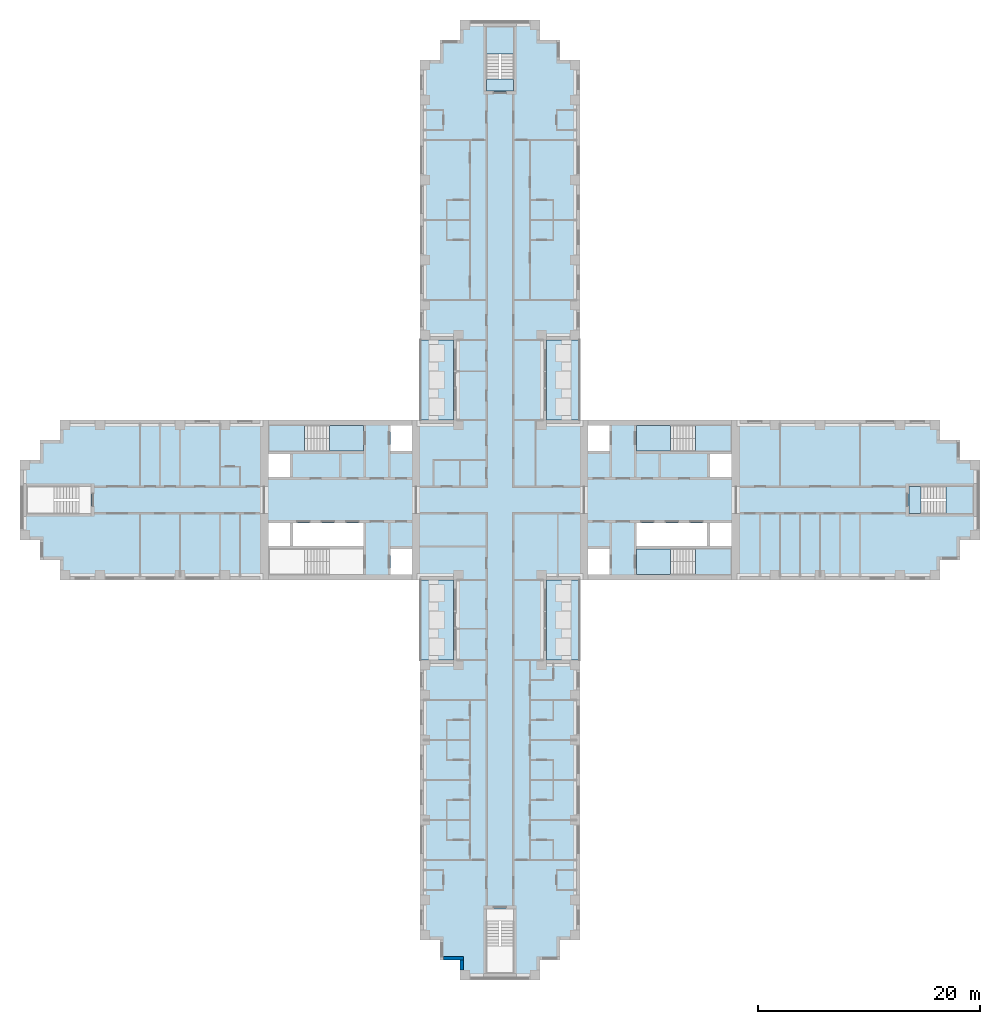
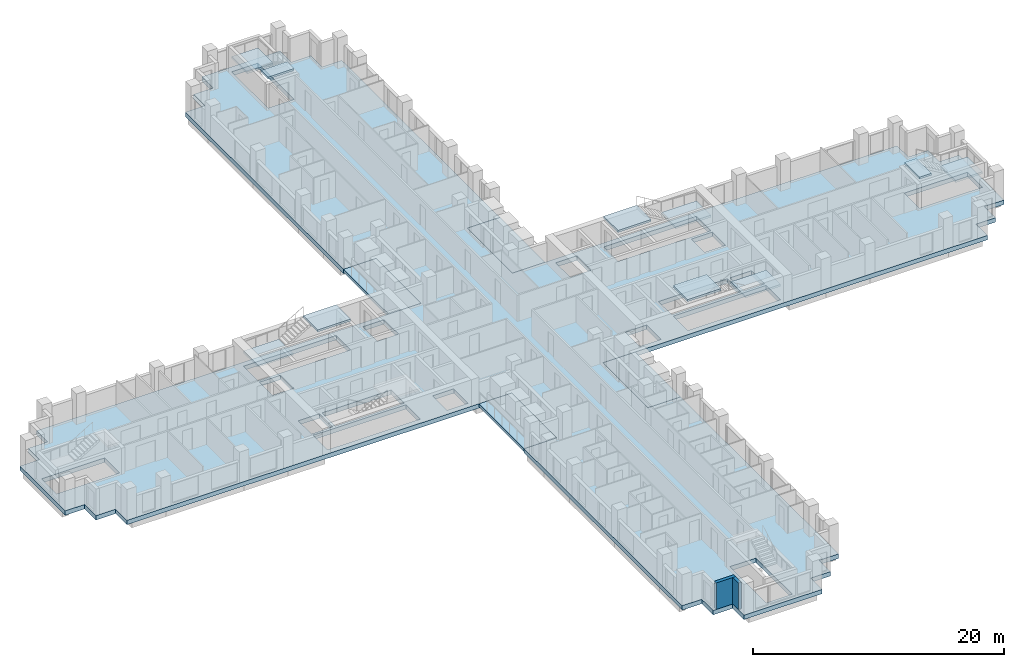
# One storey, part 2 of 16: 15 slabs, 2 walls, 5 elements without a shape of their own.
"""IFC4 building model written with IfcOpenShell, lengths in metres."""

from ifc_helpers import new_model, si_unit, direction, frame, frame_2d, origin, place, context, subcontext, project, spatial, polyline, rectangle, outline, extrude, material, layer, layer_set, type_object, element, aggregate, save


model = new_model("IFC4")

# Units and contexts
model_context = context("Model", 3, precision=1e-05, world=origin(), true_north=direction((0.0, 1.0)))
body_context = subcontext(model_context, "Body", "Model", "MODEL_VIEW")
ifc_project = project(units=[si_unit("LENGTHUNIT", "METRE"), si_unit("AREAUNIT", "SQUARE_METRE"), si_unit("VOLUMEUNIT", "CUBIC_METRE"), si_unit("PLANEANGLEUNIT", "RADIAN"), si_unit("MASSUNIT", "GRAM", prefix="KILO")], contexts=[model_context])

# Site, building, storey
site_placement = place(None, origin())
site = spatial("IfcSite", under=ifc_project, at=site_placement, CompositionType="ELEMENT")
building_placement = place(site_placement, origin())
building = spatial("IfcBuilding", under=site, at=building_placement, Name="Fustian Cross Tower", CompositionType="ELEMENT")
storey_placement = place(building_placement, frame((0.0, 0.0, 26.699951171875)))
storey = spatial("IfcBuildingStorey", under=building, at=storey_placement, Name="L07", CompositionType="ELEMENT", Elevation=26.699951171875)

# Slabs
ifc_material_1 = material(Name="Concrete C40/50", Category="concrete")
ifc_layer_1 = layer(ifc_material_1, 0.300048828125)
ifc_layer_set_1 = layer_set([ifc_layer_1], Name="Concrete C40/50")
slab_type_1 = type_object("IfcSlabType", Name="BS1 BALCONY SLAB 300", PredefinedType="FLOOR", material=ifc_layer_set_1)
slab_1_placement = place(storey_placement, frame((0.0, 0.0, -0.300048828125)))
element("IfcSlab", 1, at=slab_1_placement, inside=storey, type_object=slab_type_1, Name="Balcony slab", PredefinedType="FLOOR", context=body_context, shape_type="SweptSolid", body=[
    extrude(outline(polyline([(4.199951171875, 7.199951171875), (7.199951171875, 7.199951171875), (7.199951171875, 14.39990234375), (4.199951171875, 14.39990234375), (4.199951171875, 7.199951171875)])), origin(), (0.0, 0.0, 1.0), 0.300048828125),
])
slab_2_placement = place(storey_placement, frame((0.0, 0.0, -0.300048828125)))
element("IfcSlab", 2, at=slab_2_placement, inside=storey, type_object=slab_type_1, Name="Balcony slab", PredefinedType="FLOOR", context=body_context, shape_type="SweptSolid", body=[
    extrude(outline(polyline([(-7.199951171875, 7.199951171875), (-4.199951171875, 7.199951171875), (-4.199951171875, 14.39990234375), (-7.199951171875, 14.39990234375), (-7.199951171875, 7.199951171875)])), origin(), (0.0, 0.0, 1.0), 0.300048828125),
])
slab_3_placement = place(storey_placement, frame((0.0, 0.0, -0.300048828125)))
element("IfcSlab", 3, at=slab_3_placement, inside=storey, type_object=slab_type_1, Name="Balcony slab", PredefinedType="FLOOR", context=body_context, shape_type="SweptSolid", body=[
    extrude(outline(polyline([(4.199951171875, -14.39990234375), (7.199951171875, -14.39990234375), (7.199951171875, -7.199951171875), (4.199951171875, -7.199951171875), (4.199951171875, -14.39990234375)])), origin(), (0.0, 0.0, 1.0), 0.300048828125),
])
slab_4_placement = place(storey_placement, frame((0.0, 0.0, -0.300048828125)))
element("IfcSlab", 4, at=slab_4_placement, inside=storey, type_object=slab_type_1, Name="Balcony slab", PredefinedType="FLOOR", context=body_context, shape_type="SweptSolid", body=[
    extrude(outline(polyline([(-7.199951171875, -14.39990234375), (-4.199951171875, -14.39990234375), (-4.199951171875, -7.199951171875), (-7.199951171875, -7.199951171875), (-7.199951171875, -14.39990234375)])), origin(), (0.0, 0.0, 1.0), 0.300048828125),
])
ifc_material_2 = material(Name="Concrete C40/50", Category="concrete")
ifc_layer_2 = layer(ifc_material_2, 0.425048828125)
ifc_layer_set_2 = layer_set([ifc_layer_2], Name="Concrete C40/50")
slab_type_2 = type_object("IfcSlabType", Name="FLAT SLAB 425", PredefinedType="FLOOR", material=ifc_layer_set_2)
slab_5_placement = place(storey_placement, frame((0.0, 0.0, -0.425048828125)))
element("IfcSlab", 5, at=slab_5_placement, inside=storey, type_object=slab_type_2, Name="FLOOR SLAB L07-1", PredefinedType="FLOOR", context=body_context, shape_type="SweptSolid", body=[
    extrude(outline(polyline([(-4.199951171875, -7.199951171875), (-39.60009765625, -7.199951171875), (-39.60009765625, -5.39990234375), (-41.39990234375, -5.39990234375), (-41.39990234375, -3.60009765625), (-43.199951171875, -3.60009765625), (-43.199951171875, 3.60009765625), (-41.39990234375, 3.60009765625), (-41.39990234375, 5.39990234375), (-39.60009765625, 5.39990234375), (-39.60009765625, 7.199951171875), (-4.199951171875, 7.199951171875), (-4.199951171875, 14.39990234375), (-7.199951171875, 14.39990234375), (-7.199951171875, 39.60009765625), (-5.39990234375, 39.60009765625), (-5.39990234375, 41.39990234375), (-3.60009765625, 41.39990234375), (-3.60009765625, 43.199951171875), (3.60009765625, 43.199951171875), (3.60009765625, 41.39990234375), (5.39990234375, 41.39990234375), (5.39990234375, 39.60009765625), (7.199951171875, 39.60009765625), (7.199951171875, 14.39990234375), (4.199951171875, 14.39990234375), (4.199951171875, 7.199951171875), (39.60009765625, 7.199951171875), (39.60009765625, 5.39990234375), (41.39990234375, 5.39990234375), (41.39990234375, 3.60009765625), (43.199951171875, 3.60009765625), (43.199951171875, -3.60009765625), (41.39990234375, -3.60009765625), (41.39990234375, -5.39990234375), (39.60009765625, -5.39990234375), (39.60009765625, -7.199951171875), (4.199951171875, -7.199951171875), (4.199951171875, -14.39990234375), (7.199951171875, -14.39990234375), (7.199951171875, -39.60009765625), (5.39990234375, -39.60009765625), (5.39990234375, -41.39990234375), (3.60009765625, -41.39990234375), (3.60009765625, -43.199951171875), (-3.60009765625, -43.199951171875), (-3.60009765625, -41.39990234375), (-5.39990234375, -41.39990234375), (-5.39990234375, -39.60009765625), (-7.199951171875, -39.60009765625), (-7.199951171875, -14.39990234375), (-4.199951171875, -14.39990234375), (-4.199951171875, -7.199951171875)]), holes=[polyline([(18.89990234375, -2.050048828125), (18.89990234375, -4.14990234375), (20.85009765625, -4.14990234375), (20.85009765625, -2.050048828125), (18.89990234375, -2.050048828125)]), polyline([(20.85009765625, 4.14990234375), (18.89990234375, 4.14990234375), (18.89990234375, 2.050048828125), (20.85009765625, 2.050048828125), (20.85009765625, 4.14990234375)]), polyline([(9.85009765625, 4.39990234375), (9.85009765625, 6.699951171875), (7.89990234375, 6.699951171875), (7.89990234375, 4.39990234375), (9.85009765625, 4.39990234375)]), polyline([(7.89990234375, -6.699951171875), (9.85009765625, -6.699951171875), (9.85009765625, -4.39990234375), (7.89990234375, -4.39990234375), (7.89990234375, -6.699951171875)]), polyline([(-20.85009765625, -2.050048828125), (-20.85009765625, -4.14990234375), (-18.89990234375, -4.14990234375), (-18.89990234375, -2.050048828125), (-20.85009765625, -2.050048828125)]), polyline([(-18.89990234375, 4.14990234375), (-20.85009765625, 4.14990234375), (-20.85009765625, 2.050048828125), (-18.89990234375, 2.050048828125), (-18.89990234375, 4.14990234375)]), polyline([(-7.89990234375, 4.39990234375), (-7.89990234375, 6.699951171875), (-9.85009765625, 6.699951171875), (-9.85009765625, 4.39990234375), (-7.89990234375, 4.39990234375)]), polyline([(-9.85009765625, -6.699951171875), (-7.89990234375, -6.699951171875), (-7.89990234375, -4.39990234375), (-9.85009765625, -4.39990234375), (-9.85009765625, -6.699951171875)]), polyline([(12.300048828125, -2.050048828125), (12.300048828125, -4.14990234375), (18.64990234375, -4.14990234375), (18.64990234375, -2.050048828125), (12.300048828125, -2.050048828125)]), polyline([(-12.300048828125, -2.050048828125), (-18.64990234375, -2.050048828125), (-18.64990234375, -4.14990234375), (-12.300048828125, -4.14990234375), (-12.300048828125, -2.050048828125)]), polyline([(20.85009765625, 4.39990234375), (20.85009765625, 6.699951171875), (12.300048828125, 6.699951171875), (12.300048828125, 4.39990234375), (20.85009765625, 4.39990234375)]), polyline([(12.300048828125, -6.699951171875), (20.85009765625, -6.699951171875), (20.85009765625, -4.39990234375), (12.300048828125, -4.39990234375), (12.300048828125, -6.699951171875)]), polyline([(-20.85009765625, 6.699951171875), (-20.85009765625, 4.39990234375), (-12.300048828125, 4.39990234375), (-12.300048828125, 6.699951171875), (-20.85009765625, 6.699951171875)]), polyline([(-12.300048828125, -4.39990234375), (-20.85009765625, -4.39990234375), (-20.85009765625, -6.699951171875), (-12.300048828125, -6.699951171875), (-12.300048828125, -4.39990234375)]), polyline([(1.199951171875, 36.800048828125), (1.199951171875, 42.60009765625), (-1.199951171875, 42.60009765625), (-1.199951171875, 36.800048828125), (1.199951171875, 36.800048828125)]), polyline([(-1.199951171875, -42.60009765625), (1.199951171875, -42.60009765625), (1.199951171875, -36.800048828125), (-1.199951171875, -36.800048828125), (-1.199951171875, -42.60009765625)]), polyline([(36.800048828125, 1.199951171875), (36.800048828125, -1.199951171875), (42.60009765625, -1.199951171875), (42.60009765625, 1.199951171875), (36.800048828125, 1.199951171875)]), polyline([(-36.800048828125, 1.199951171875), (-42.60009765625, 1.199951171875), (-42.60009765625, -1.199951171875), (-36.800048828125, -1.199951171875), (-36.800048828125, 1.199951171875)])]), origin(), (0.0, 0.0, 1.0), 0.425048828125),
])

# Stair, slabs
ifc_material_3 = material(Name="Concrete C50/60", Category="concrete")
stair_type_1 = type_object("IfcStairType", Name="STAIR 1150 HALF TURN", PredefinedType="HALF_TURN_STAIR", material=ifc_material_3)
stair_1_placement = place(storey_placement, origin())
stair_1 = element("IfcStair", 6, at=stair_1_placement, inside=storey, type_object=stair_type_1, Name="Stair ST1", PredefinedType="HALF_TURN_STAIR")
ifc_material_4 = material(Name="Concrete C50/60", Category="concrete")
ifc_layer_3 = layer(ifc_material_4, 0.199951171875)
ifc_layer_set_3 = layer_set([ifc_layer_3], Name="Concrete C50/60")
slab_type_3 = type_object("IfcSlabType", Name="STAIR LANDING", PredefinedType="LANDING", material=ifc_layer_set_3)
slab_6_placement = place(storey_placement, frame((0.0, 0.0, 1.300048828125)))
slab_6 = element("IfcSlab", 7, at=slab_6_placement, type_object=slab_type_3, Name="ST1 landing 1", PredefinedType="LANDING", context=body_context, shape_type="SweptSolid", body=[
    extrude(outline(polyline([(17.590087890625, 4.39990234375), (20.85009765625, 4.39990234375), (20.85009765625, 6.699951171875), (17.590087890625, 6.699951171875), (17.590087890625, 4.39990234375)])), origin(), (0.0, 0.0, 1.0), 0.199951171875),
])
slab_7_placement = place(storey_placement, frame((0.0, 0.0, 2.800048828125)))
slab_7 = element("IfcSlab", 8, at=slab_7_placement, type_object=slab_type_3, Name="ST1 landing 2", PredefinedType="LANDING", context=body_context, shape_type="SweptSolid", body=[
    extrude(outline(polyline([(12.300048828125, 4.39990234375), (15.35009765625, 4.39990234375), (15.35009765625, 6.699951171875), (12.300048828125, 6.699951171875), (12.300048828125, 4.39990234375)])), origin(), (0.0, 0.0, 1.0), 0.199951171875),
])
aggregate(stair_1, [slab_6, slab_7])

stair_2_placement = place(storey_placement, origin())
stair_2 = element("IfcStair", 9, at=stair_2_placement, inside=storey, type_object=stair_type_1, Name="Stair ST2", PredefinedType="HALF_TURN_STAIR")
slab_8_placement = place(storey_placement, frame((0.0, 0.0, 1.300048828125)))
slab_8 = element("IfcSlab", 10, at=slab_8_placement, type_object=slab_type_3, Name="ST2 landing 1", PredefinedType="LANDING", context=body_context, shape_type="SweptSolid", body=[
    extrude(outline(polyline([(17.590087890625, -4.39990234375), (20.85009765625, -4.39990234375), (20.85009765625, -6.699951171875), (17.590087890625, -6.699951171875), (17.590087890625, -4.39990234375)])), origin(), (0.0, 0.0, 1.0), 0.199951171875),
])
slab_9_placement = place(storey_placement, frame((0.0, 0.0, 2.800048828125)))
slab_9 = element("IfcSlab", 11, at=slab_9_placement, type_object=slab_type_3, Name="ST2 landing 2", PredefinedType="LANDING", context=body_context, shape_type="SweptSolid", body=[
    extrude(outline(polyline([(12.300048828125, -4.39990234375), (15.35009765625, -4.39990234375), (15.35009765625, -6.699951171875), (12.300048828125, -6.699951171875), (12.300048828125, -4.39990234375)])), origin(), (0.0, 0.0, 1.0), 0.199951171875),
])
aggregate(stair_2, [slab_8, slab_9])

stair_3_placement = place(storey_placement, origin())
stair_3 = element("IfcStair", 12, at=stair_3_placement, inside=storey, type_object=stair_type_1, Name="Stair ST3", PredefinedType="HALF_TURN_STAIR")
slab_10_placement = place(storey_placement, frame((0.0, 0.0, 1.300048828125)))
slab_10 = element("IfcSlab", 13, at=slab_10_placement, type_object=slab_type_3, Name="ST3 landing 1", PredefinedType="LANDING", context=body_context, shape_type="SweptSolid", body=[
    extrude(outline(polyline([(-17.590087890625, 4.39990234375), (-20.85009765625, 4.39990234375), (-20.85009765625, 6.699951171875), (-17.590087890625, 6.699951171875), (-17.590087890625, 4.39990234375)])), origin(), (0.0, 0.0, 1.0), 0.199951171875),
])
slab_11_placement = place(storey_placement, frame((0.0, 0.0, 2.800048828125)))
slab_11 = element("IfcSlab", 14, at=slab_11_placement, type_object=slab_type_3, Name="ST3 landing 2", PredefinedType="LANDING", context=body_context, shape_type="SweptSolid", body=[
    extrude(outline(polyline([(-12.300048828125, 4.39990234375), (-15.35009765625, 4.39990234375), (-15.35009765625, 6.699951171875), (-12.300048828125, 6.699951171875), (-12.300048828125, 4.39990234375)])), origin(), (0.0, 0.0, 1.0), 0.199951171875),
])
aggregate(stair_3, [slab_10, slab_11])

ifc_material_5 = material(Name="Concrete C50/60", Category="concrete")
stair_type_2 = type_object("IfcStairType", Name="STAIR 1100 HALF TURN", PredefinedType="HALF_TURN_STAIR", material=ifc_material_5)
stair_4_placement = place(storey_placement, origin())
stair_4 = element("IfcStair", 15, at=stair_4_placement, inside=storey, type_object=stair_type_2, Name="Stair ST5", PredefinedType="HALF_TURN_STAIR")
slab_12_placement = place(storey_placement, frame((0.0, 0.0, 1.300048828125)))
slab_12 = element("IfcSlab", 16, at=slab_12_placement, type_object=slab_type_3, Name="ST5 landing 1", PredefinedType="LANDING", context=body_context, shape_type="SweptSolid", body=[
    extrude(outline(polyline([(-1.199951171875, 40.139892578125), (-1.199951171875, 42.60009765625), (1.199951171875, 42.60009765625), (1.199951171875, 40.139892578125), (-1.199951171875, 40.139892578125)])), origin(), (0.0, 0.0, 1.0), 0.199951171875),
])
slab_13_placement = place(storey_placement, frame((0.0, 0.0, 2.800048828125)))
slab_13 = element("IfcSlab", 17, at=slab_13_placement, type_object=slab_type_3, Name="ST5 landing 2", PredefinedType="LANDING", context=body_context, shape_type="SweptSolid", body=[
    extrude(outline(polyline([(-1.199951171875, 36.800048828125), (-1.199951171875, 37.89990234375), (1.199951171875, 37.89990234375), (1.199951171875, 36.800048828125), (-1.199951171875, 36.800048828125)])), origin(), (0.0, 0.0, 1.0), 0.199951171875),
])
aggregate(stair_4, [slab_12, slab_13])

stair_5_placement = place(storey_placement, origin())
stair_5 = element("IfcStair", 18, at=stair_5_placement, inside=storey, type_object=stair_type_2, Name="Stair ST8", PredefinedType="HALF_TURN_STAIR")
slab_14_placement = place(storey_placement, frame((0.0, 0.0, 1.300048828125)))
slab_14 = element("IfcSlab", 19, at=slab_14_placement, type_object=slab_type_3, Name="ST8 landing 1", PredefinedType="LANDING", context=body_context, shape_type="SweptSolid", body=[
    extrude(outline(polyline([(40.139892578125, -1.199951171875), (42.60009765625, -1.199951171875), (42.60009765625, 1.199951171875), (40.139892578125, 1.199951171875), (40.139892578125, -1.199951171875)])), origin(), (0.0, 0.0, 1.0), 0.199951171875),
])
slab_15_placement = place(storey_placement, frame((0.0, 0.0, 2.800048828125)))
slab_15 = element("IfcSlab", 20, at=slab_15_placement, type_object=slab_type_3, Name="ST8 landing 2", PredefinedType="LANDING", context=body_context, shape_type="SweptSolid", body=[
    extrude(outline(polyline([(36.800048828125, -1.199951171875), (37.89990234375, -1.199951171875), (37.89990234375, 1.199951171875), (36.800048828125, 1.199951171875), (36.800048828125, -1.199951171875)])), origin(), (0.0, 0.0, 1.0), 0.199951171875),
])
aggregate(stair_5, [slab_14, slab_15])

# Walls
ifc_material_6 = material(Name="Dark aluminium cladding on insulated backing wall", Category="aluminium")
ifc_layer_4 = layer(ifc_material_6, 0.300048828125)
ifc_layer_set_4 = layer_set([ifc_layer_4], Name="Dark aluminium cladding on insulated backing wall")
wall_type = type_object("IfcWallType", Name="XW1 EXTERNAL WALL 300", PredefinedType="SOLIDWALL", material=ifc_layer_set_4)
wall_1_placement = place(storey_placement, frame((-5.10009765625, -41.25, 0.0), z_axis=(0.0, 0.0, 1.0), x_axis=(1.0, 0.0, 0.0)))
element("IfcWall", 21, at=wall_1_placement, inside=storey, type_object=wall_type, Name="External wall", PredefinedType="SOLIDWALL", context=body_context, shape_type="SweptSolid", body=[
    extrude(rectangle(XDim=1.800048828125, YDim=0.300048828125, at=frame_2d((0.89990234375, 0.0))), origin(), (0.0, 0.0, 1.0), 2.574951171875),
])
wall_2_placement = place(storey_placement, frame((-3.449951171875, -41.39990234375, 0.0), z_axis=(0.0, 0.0, 1.0), x_axis=(0.0, -1.0, 0.0)))
element("IfcWall", 22, at=wall_2_placement, inside=storey, type_object=wall_type, Name="External wall", PredefinedType="SOLIDWALL", context=body_context, shape_type="SweptSolid", body=[
    extrude(rectangle(XDim=0.900146484375, YDim=0.300048828125, at=frame_2d((0.4501953125, 0.0))), origin(), (0.0, 0.0, 1.0), 2.574951171875),
])

save(model, "model.ifc")
